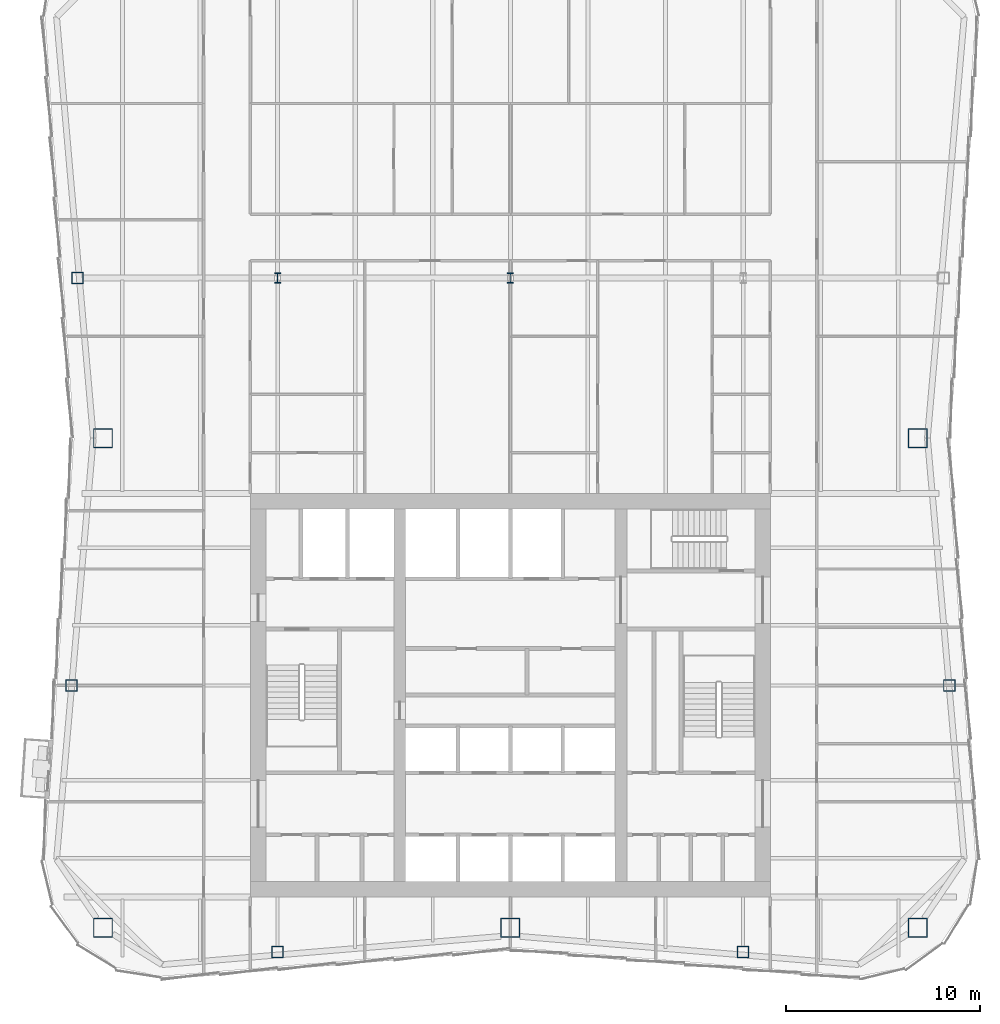
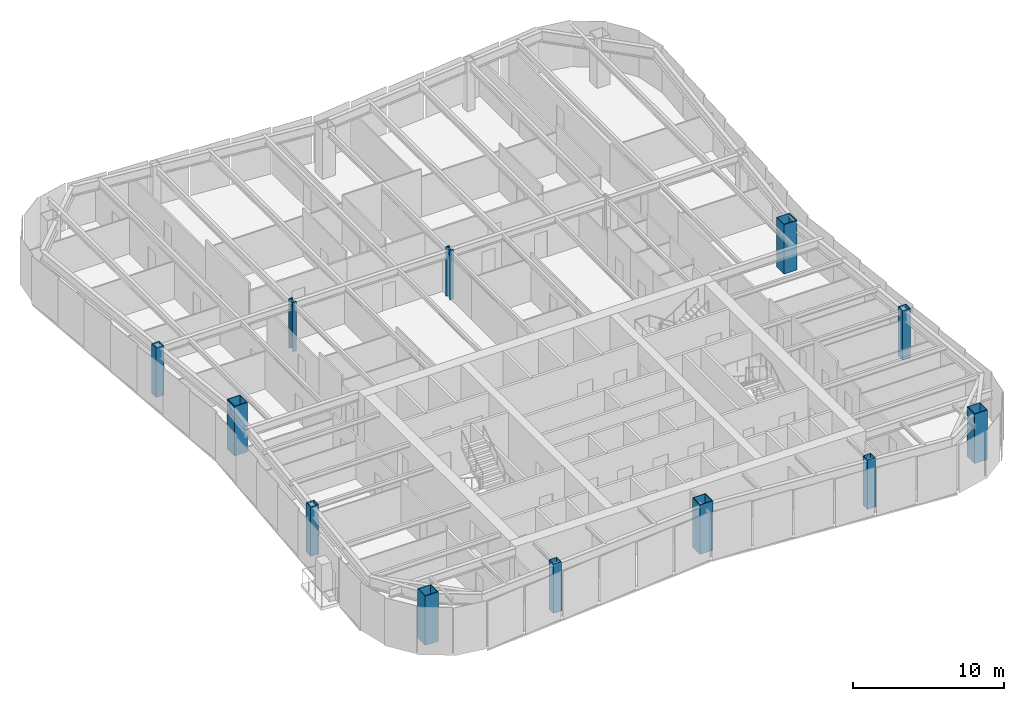
# One storey, part 1 of 12: 12 columns.
"""IFC4 building model written with IfcOpenShell, lengths in metres."""

from ifc_helpers import new_model, si_unit, direction, frame, origin, origin_2d, place, context, subcontext, project, spatial, hollow_rectangle, i_section, extrude, material, material_profile, profile_set, type_object, element, save


model = new_model("IFC4")

# Units and contexts
model_context = context("Model", 3, precision=1e-05, world=origin(), true_north=direction((0.0, 1.0)))
body_context = subcontext(model_context, "Body", "Model", "MODEL_VIEW")
ifc_project = project(units=[si_unit("LENGTHUNIT", "METRE"), si_unit("AREAUNIT", "SQUARE_METRE"), si_unit("VOLUMEUNIT", "CUBIC_METRE"), si_unit("PLANEANGLEUNIT", "RADIAN"), si_unit("MASSUNIT", "GRAM", prefix="KILO")], contexts=[model_context])

# Site, building, storey
site_placement = place(None, origin())
site = spatial("IfcSite", under=ifc_project, at=site_placement, CompositionType="ELEMENT")
building_placement = place(site_placement, origin())
building = spatial("IfcBuilding", under=site, at=building_placement, Name="Verdant Reach Tower", CompositionType="ELEMENT")
storey_placement = place(building_placement, frame((0.0, 0.0, 270.0)))
storey = spatial("IfcBuildingStorey", under=building, at=storey_placement, Name="L62", CompositionType="ELEMENT", Elevation=270.0)

# Columns
ifc_material = material(Name="Steel S460", Category="steel")
ifc_material_profile_1 = material_profile(ifc_material, i_section(OverallWidth=0.305908203125, OverallDepth=0.52392578125, WebThickness=0.012451171875, FlangeThickness=0.0400390625, FilletRadius=0.027099609375, at=origin_2d()), Name="HEM 500")
ifc_profile_set_1 = profile_set([ifc_material_profile_1], Name="Steel S460")
column_type_1 = type_object("IfcColumnType", Name="ST-COL-HEM500", PredefinedType="COLUMN", material=ifc_profile_set_1)
for number, where, z_axis, x_axis, name in (
    (1, (-12.0, 49.5, 0.0), (0.0, 0.0, 1.0), (1.0, 0.0, 0.0), "Interior column 1, L62"),
    (2, (0.0, 49.5, 0.0), (0.0, 0.0, 1.0), (1.0, 0.0, 0.0), "Interior column 2, L62"),
):
    element("IfcColumn", number, at=place(storey_placement, frame(where, z_axis=z_axis, x_axis=x_axis)), inside=storey, type_object=column_type_1, Name=name, PredefinedType="COLUMN", context=body_context, shape_type="SweptSolid", body=[
        extrude(i_section(OverallWidth=0.305908203125, OverallDepth=0.52392578125, WebThickness=0.012451171875, FlangeThickness=0.0400390625, FilletRadius=0.027099609375, at=origin_2d()), origin(), (0.0, 0.0, 1.0), 4.0),
    ])
ifc_material_profile_2 = material_profile(ifc_material, hollow_rectangle(XDim=1.0, YDim=1.0, WallThickness=0.044921875, at=origin_2d()), Name="WB 1000x1000x45")
ifc_profile_set_2 = profile_set([ifc_material_profile_2], Name="Steel S460")
column_type_2 = type_object("IfcColumnType", Name="ST-COL-WB1000x1000x45", PredefinedType="COLUMN", material=ifc_profile_set_2)
for number, where, z_axis, x_axis, name in (
    (3, (21.0, 41.25, 0.0), (0.0, 0.0, 1.0), (1.0, 0.0, 0.0), "Mega column east, L62"),
    (4, (21.0, 16.0, 0.0), (0.0, 0.0, 1.0), (1.0, 0.0, 0.0), "Mega column south-east, L62"),
    (5, (0.0, 16.0, 0.0), (0.0, 0.0, 1.0), (1.0, 0.0, 0.0), "Mega column south, L62"),
    (6, (-21.0, 16.0, 0.0), (0.0, 0.0, 1.0), (1.0, 0.0, 0.0), "Mega column south-west, L62"),
    (7, (-21.0, 41.25, 0.0), (0.0, 0.0, 1.0), (1.0, 0.0, 0.0), "Mega column west, L62"),
):
    element("IfcColumn", number, at=place(storey_placement, frame(where, z_axis=z_axis, x_axis=x_axis)), inside=storey, type_object=column_type_2, Name=name, PredefinedType="COLUMN", context=body_context, shape_type="SweptSolid", body=[
        extrude(hollow_rectangle(XDim=1.0, YDim=1.0, WallThickness=0.044921875, at=origin_2d()), origin(), (0.0, 0.0, 1.0), 4.0),
    ])
ifc_material_profile_3 = material_profile(ifc_material, hollow_rectangle(XDim=0.60009765625, YDim=0.60009765625, WallThickness=0.02490234375, at=origin_2d()), Name="WB 600x600x25")
ifc_profile_set_3 = profile_set([ifc_material_profile_3], Name="Steel S460")
column_type_3 = type_object("IfcColumnType", Name="ST-COL-WB600x600x25", PredefinedType="COLUMN", material=ifc_profile_set_3)
for number, where, z_axis, x_axis, name in (
    (8, (-12.0, 14.75, 0.0), (0.0, 0.0, 1.0), (1.0, 0.0, 0.0), "Perimeter column south 1, L62"),
    (9, (12.0, 14.75, 0.0), (0.0, 0.0, 1.0), (1.0, 0.0, 0.0), "Perimeter column south 2, L62"),
    (10, (22.62939453125, 28.5, 0.0), (0.0, 0.0, 1.0), (1.0, 0.0, 0.0), "Perimeter column east 1, L62"),
    (11, (-22.62939453125, 28.5, 0.0), (0.0, 0.0, 1.0), (1.0, 0.0, 0.0), "Perimeter column west 1, L62"),
    (12, (-22.319091796875, 49.5, 0.0), (0.0, 0.0, 1.0), (1.0, 0.0, 0.0), "Perimeter column west 2, L62"),
):
    element("IfcColumn", number, at=place(storey_placement, frame(where, z_axis=z_axis, x_axis=x_axis)), inside=storey, type_object=column_type_3, Name=name, PredefinedType="COLUMN", context=body_context, shape_type="SweptSolid", body=[
        extrude(hollow_rectangle(XDim=0.60009765625, YDim=0.60009765625, WallThickness=0.02490234375, at=origin_2d()), origin(), (0.0, 0.0, 1.0), 4.0),
    ])

save(model, "model.ifc")
